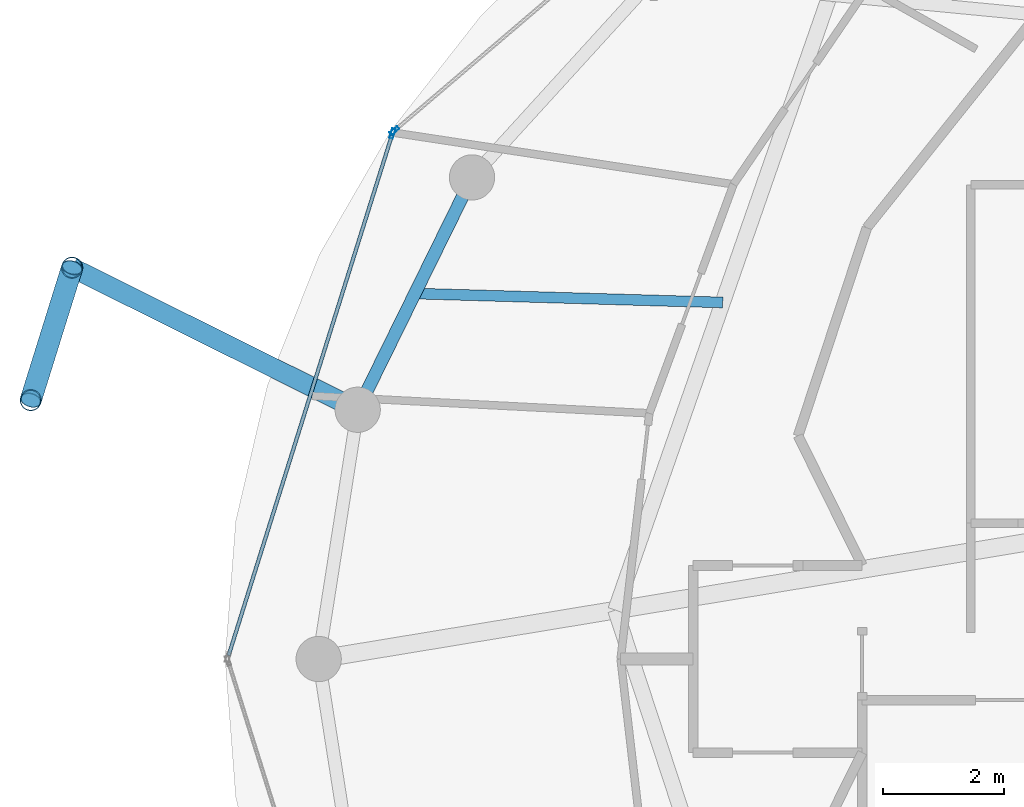
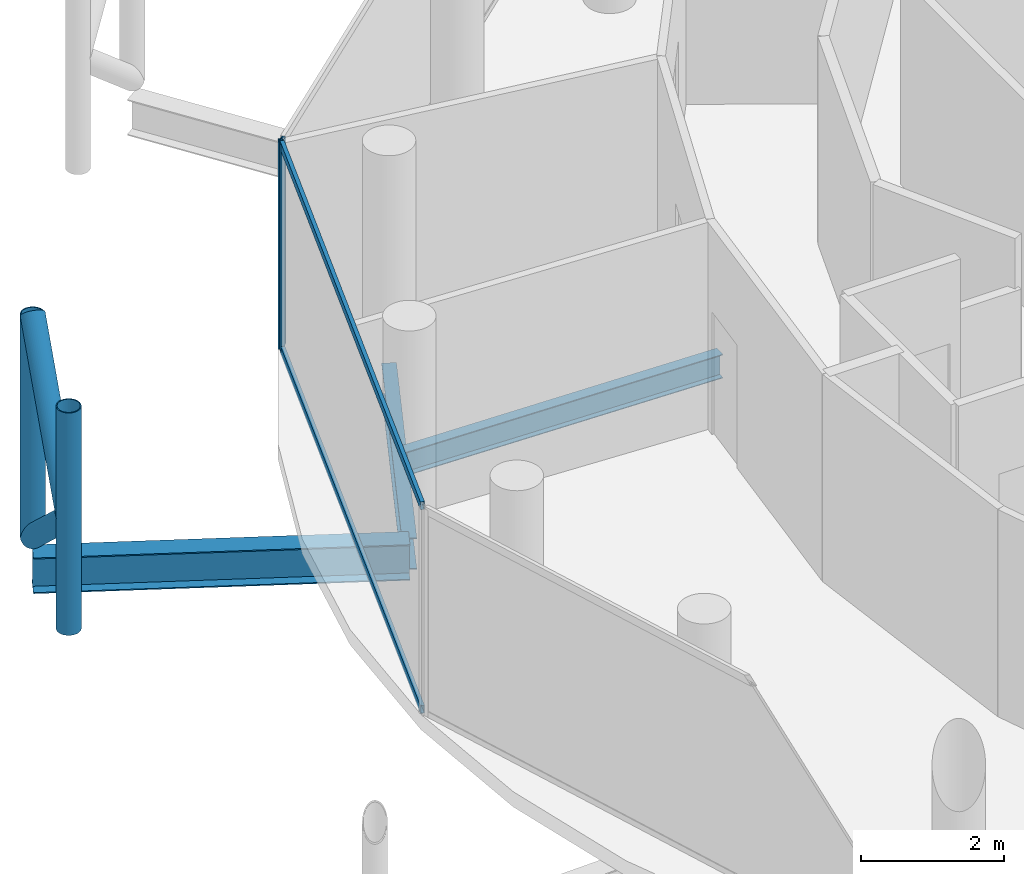
# One storey, part 7 of 24: 8 members, 3 beams, 2 elements without a shape of their own.
"""IFC4 building model written with IfcOpenShell, lengths in metres."""

from ifc_helpers import new_model, si_unit, direction, frame, origin, origin_2d, place, context, subcontext, project, spatial, hollow_rectangle, hollow_circle, i_section, extrude, material, layer, layer_set, material_profile, profile_set, type_object, element, aggregate, save


model = new_model("IFC4")

# Units and contexts
model_context = context("Model", 3, precision=1e-05, world=origin(), true_north=direction((0.0, 1.0)))
body_context = subcontext(model_context, "Body", "Model", "MODEL_VIEW")
ifc_project = project(units=[si_unit("LENGTHUNIT", "METRE"), si_unit("AREAUNIT", "SQUARE_METRE"), si_unit("VOLUMEUNIT", "CUBIC_METRE"), si_unit("PLANEANGLEUNIT", "RADIAN"), si_unit("MASSUNIT", "GRAM", prefix="KILO")], contexts=[model_context])

# Site, building, storey
site_placement = place(None, origin())
site = spatial("IfcSite", under=ifc_project, at=site_placement, CompositionType="ELEMENT")
building_placement = place(site_placement, origin())
building = spatial("IfcBuilding", under=site, at=building_placement, Name="Nuhasar Tower", CompositionType="ELEMENT")
storey_placement = place(building_placement, frame((0.0, 0.0, 286.0)))
storey = spatial("IfcBuildingStorey", under=building, at=storey_placement, Name="L71", CompositionType="ELEMENT", Elevation=286.0)

# Beams
ifc_material_1 = material(Name="Steel S355", Category="steel")
ifc_material_profile_1 = material_profile(ifc_material_1, i_section(OverallWidth=0.177978515625, OverallDepth=0.406005859375, WebThickness=0.0078125, FlangeThickness=0.0126953125, at=origin_2d()), Name="W16X40")
ifc_profile_set_1 = profile_set([ifc_material_profile_1], Name="Steel S355")
beam_type_1 = type_object("IfcBeamType", Name="BM-JST-W16X40", PredefinedType="JOIST", material=ifc_profile_set_1)
beam_1_placement = place(storey_placement, frame((26.739990234375, 32.7041015625, -0.462890625), z_axis=(-0.999579139243, 0.02900938453, 0.0), x_axis=(-0.02900938453, -0.999579139243, 0.0)))
element("IfcBeam", 1, at=beam_1_placement, inside=storey, type_object=beam_type_1, Name="L71 Secondary Floor Joist 07", PredefinedType="JOIST", context=body_context, shape_type="SweptSolid", body=[
    extrude(i_section(OverallWidth=0.177978515625, OverallDepth=0.406005859375, WebThickness=0.0078125, FlangeThickness=0.0126953125, at=origin_2d()), origin(), (0.0, 0.0, 1.0), 5.10009765625),
])
ifc_material_profile_2 = material_profile(ifc_material_1, i_section(OverallWidth=0.2099609375, OverallDepth=0.537109375, WebThickness=0.010986328125, FlangeThickness=0.017333984375, at=origin_2d()), Name="W21X68")
ifc_profile_set_2 = profile_set([ifc_material_profile_2], Name="Steel S355")
beam_type_2 = type_object("IfcBeamType", Name="BM-RING-W21X68", PredefinedType="SPANDREL", material=ifc_profile_set_2)
beam_2_placement = place(storey_placement, frame((22.589111328125, 34.77490234375, -0.529052734375), z_axis=(-0.441533119295, -0.897244952377, 0.0), x_axis=(0.897244952377, -0.441533119295, 0.0)))
element("IfcBeam", 2, at=beam_2_placement, inside=storey, type_object=beam_type_2, Name="L71 Perimeter Ring Spandrel 11", PredefinedType="SPANDREL", context=body_context, shape_type="SweptSolid", body=[
    extrude(i_section(OverallWidth=0.2099609375, OverallDepth=0.537109375, WebThickness=0.010986328125, FlangeThickness=0.017333984375, at=origin_2d()), origin(), (0.0, 0.0, 1.0), 4.28759765625),
])
ifc_material_profile_3 = material_profile(ifc_material_1, i_section(OverallWidth=0.323974609375, OverallDepth=0.611083984375, WebThickness=0.0126953125, FlangeThickness=0.01904296875, at=origin_2d()), Name="W24X104")
ifc_profile_set_3 = profile_set([ifc_material_profile_3], Name="Steel S355")
beam_type_3 = type_object("IfcBeamType", Name="BM-TIE-W24X104", PredefinedType="BEAM", material=ifc_profile_set_3)
beam_3_placement = place(storey_placement, frame((20.696044921875, 30.927978515625, -0.56494140625), z_axis=(-0.895294451274, 0.445474853969, 0.0), x_axis=(-0.445474853969, -0.895294451274, 0.0)))
element("IfcBeam", 3, at=beam_3_placement, inside=storey, type_object=beam_type_3, Name="L71 Exoskeleton Node Tie Beam 06", PredefinedType="BEAM", context=body_context, shape_type="SweptSolid", body=[
    extrude(i_section(OverallWidth=0.323974609375, OverallDepth=0.611083984375, WebThickness=0.0126953125, FlangeThickness=0.01904296875, at=origin_2d()), origin(), (0.0, 0.0, 1.0), 5.281982421875),
])

# Curtain wall, member
ifc_material_2 = material(Name="Aluminium 6063-T6", Category="aluminium")
ifc_layer = layer(ifc_material_2, 0.18994140625)
ifc_layer_set = layer_set([ifc_layer], Name="Aluminium 6063-T6")
curtain_wall_type = type_object("IfcCurtainWallType", Name="CW-Z4-PEN", PredefinedType="NOTDEFINED", material=ifc_layer_set)
curtain_wall_1_placement = place(storey_placement, origin())
curtain_wall_1 = element("IfcCurtainWall", 4, at=curtain_wall_1_placement, inside=storey, type_object=curtain_wall_type, Name="L71 Unitised Curtain Wall 05", PredefinedType="NOTDEFINED")
ifc_material_profile_4 = material_profile(ifc_material_2, hollow_rectangle(XDim=0.06005859375, YDim=0.1650390625, WallThickness=0.0048828125, at=origin_2d()), Name="CWM-5")
ifc_profile_set_4 = profile_set([ifc_material_profile_4], Name="Aluminium 6063-T6")
member_type_1 = type_object("IfcMemberType", Name="CW-MUL-S5", PredefinedType="MULLION", material=ifc_profile_set_4)
member_1_placement = place(storey_placement, frame((21.3037109375, 35.549560546875, 0.0), z_axis=(0.0, 0.0, 1.0), x_axis=(0.649141996205, -0.760667252327, 0.0)))
member_1 = element("IfcMember", 5, at=member_1_placement, type_object=member_type_1, Name="CW-Z4 mullion 2", PredefinedType="MULLION", context=body_context, shape_type="SweptSolid", body=[
    extrude(hollow_rectangle(XDim=0.06005859375, YDim=0.1650390625, WallThickness=0.0048828125, at=origin_2d()), origin(), (0.0, 0.0, 1.0), 3.5400390625),
])
aggregate(curtain_wall_1, [member_1])

# Curtain wall, members
curtain_wall_2_placement = place(storey_placement, origin())
curtain_wall_2 = element("IfcCurtainWall", 6, at=curtain_wall_2_placement, inside=storey, type_object=curtain_wall_type, Name="L71 Unitised Curtain Wall 06", PredefinedType="NOTDEFINED")
member_2_placement = place(storey_placement, frame((21.27197265625, 35.50146484375, 0.0), z_axis=(0.0, 0.0, 1.0), x_axis=(0.954078526601, -0.299556614146, 0.0)))
member_2 = element("IfcMember", 7, at=member_2_placement, type_object=member_type_1, Name="CW-Z4 mullion 1", PredefinedType="MULLION", context=body_context, shape_type="SweptSolid", body=[
    extrude(hollow_rectangle(XDim=0.06005859375, YDim=0.1650390625, WallThickness=0.0048828125, at=origin_2d()), origin(), (0.0, 0.0, 1.0), 3.5400390625),
])
ifc_material_profile_5 = material_profile(ifc_material_2, hollow_rectangle(XDim=0.06005859375, YDim=0.135009765625, WallThickness=0.00439453125, at=origin_2d()), Name="CWT-5")
ifc_profile_set_5 = profile_set([ifc_material_profile_5], Name="Aluminium 6063-T6")
member_type_2 = type_object("IfcMemberType", Name="CW-TRN-S5", PredefinedType="USERDEFINED", material=ifc_profile_set_5)
member_3_placement = place(storey_placement, frame((21.262939453125, 35.47265625, 0.030029296875), z_axis=(-0.29956014073, -0.954077419335, 0.0), x_axis=(0.954077419335, -0.29956014073, 0.0)))
member_3 = element("IfcMember", 8, at=member_3_placement, type_object=member_type_2, Name="CW-Z4 transom 1.1", ObjectType="TRANSOM", PredefinedType="USERDEFINED", context=body_context, shape_type="SweptSolid", body=[
    extrude(hollow_rectangle(XDim=0.06005859375, YDim=0.135009765625, WallThickness=0.00439453125, at=origin_2d()), origin(), (0.0, 0.0, 1.0), 9.0302734375),
])
member_4_placement = place(storey_placement, frame((21.262939453125, 35.47265625, 3.510009765625), z_axis=(-0.29956014073, -0.954077419335, 0.0), x_axis=(0.954077419335, -0.29956014073, 0.0)))
member_4 = element("IfcMember", 9, at=member_4_placement, type_object=member_type_2, Name="CW-Z4 transom 1.2", ObjectType="TRANSOM", PredefinedType="USERDEFINED", context=body_context, shape_type="SweptSolid", body=[
    extrude(hollow_rectangle(XDim=0.06005859375, YDim=0.135009765625, WallThickness=0.00439453125, at=origin_2d()), origin(), (0.0, 0.0, 1.0), 9.0302734375),
])
aggregate(curtain_wall_2, [member_2, member_3, member_4])

# Members
ifc_material_3 = material(Name="Steel S460", Category="steel")
ifc_material_profile_6 = material_profile(ifc_material_3, hollow_circle(Radius=0.177734375, WallThickness=0.015869140625, at=origin_2d()), Name="HSS355.6X15.9")
ifc_profile_set_6 = profile_set([ifc_material_profile_6], Name="Steel S460")
member_type_3 = type_object("IfcMemberType", Name="EXO-BRONZE-356", PredefinedType="BRACE", material=ifc_profile_set_6)
for number, where, z_axis, x_axis, name in (
    (10, (15.967041015625, 33.281005859375, 0.0), (0.0, 0.0, 1.0), (1.0, 0.0, 0.0), "L71 Exoskeleton Chord Column EC-06A"),
    (11, (15.281982421875, 31.0859375, 0.0), (0.0, 0.0, 1.0), (1.0, 0.0, 0.0), "L71 Exoskeleton Chord Column EC-06B"),
):
    element("IfcMember", number, at=place(storey_placement, frame(where, z_axis=z_axis, x_axis=x_axis)), inside=storey, type_object=member_type_3, Name=name, PredefinedType="BRACE", context=body_context, shape_type="SweptSolid", body=[
        extrude(hollow_circle(Radius=0.177734375, WallThickness=0.015869140625, at=origin_2d()), origin(), (0.0, 0.0, 1.0), 3.800048828125),
    ])
for number, where, z_axis, x_axis, name in (
    (12, (15.967041015625, 33.281005859375, 0.0), (-0.229667527485, -0.735901902929, 0.636946792192), (0.954591372974, -0.297918295247, 0.0), "L71 Bronze Diagrid Brace W1-06"),
    (13, (15.281982421875, 31.0859375, 1.89990234375), (0.22965555433, 0.735863538482, 0.636995430987), (-0.954591372974, 0.297918295247, 0.0), "L71 Bronze Diagrid Brace W2-06"),
):
    element("IfcMember", number, at=place(storey_placement, frame(where, z_axis=z_axis, x_axis=x_axis)), inside=storey, type_object=member_type_3, Name=name, PredefinedType="BRACE", context=body_context, shape_type="SweptSolid", body=[
        extrude(hollow_circle(Radius=0.177734375, WallThickness=0.015869140625, at=origin_2d()), origin(), (0.0, 0.0, 1.0), 2.98291015625),
    ])

save(model, "model.ifc")
